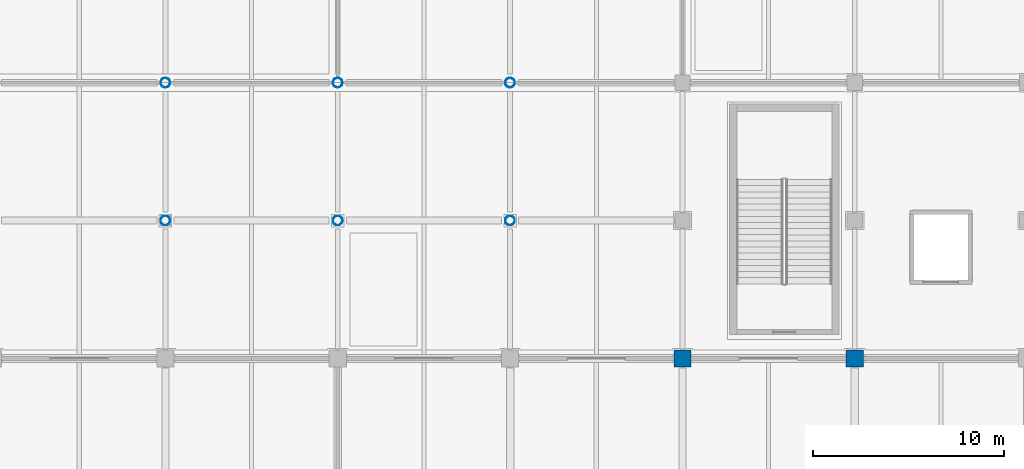
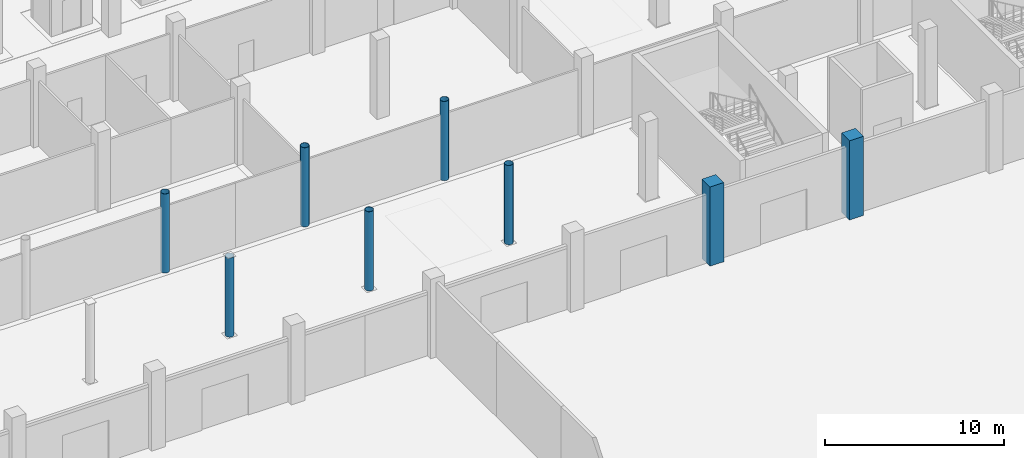
# One storey, part 7 of 137: 8 columns.
"""IFC4 building model written with IfcOpenShell, lengths in metres."""

from ifc_helpers import new_model, si_unit, direction, frame, origin, origin_2d, place, context, subcontext, project, spatial, rectangle, hollow_circle, extrude, material, material_profile, profile_set, type_object, element, save


model = new_model("IFC4")

# Units and contexts
model_context = context("Model", 3, precision=1e-05, world=origin(), true_north=direction((0.0, 1.0)))
body_context = subcontext(model_context, "Body", "Model", "MODEL_VIEW")
ifc_project = project(units=[si_unit("LENGTHUNIT", "METRE"), si_unit("AREAUNIT", "SQUARE_METRE"), si_unit("VOLUMEUNIT", "CUBIC_METRE"), si_unit("PLANEANGLEUNIT", "RADIAN"), si_unit("MASSUNIT", "GRAM", prefix="KILO")], contexts=[model_context])

# Site, building, storey
site_placement = place(None, origin())
site = spatial("IfcSite", under=ifc_project, at=site_placement, CompositionType="ELEMENT")
building_placement = place(site_placement, origin())
building = spatial("IfcBuilding", under=site, at=building_placement, Name="Celestram Park Convention Centre", CompositionType="ELEMENT")
storey_placement = place(building_placement, origin())
storey = spatial("IfcBuildingStorey", under=building, at=storey_placement, Name="L00", CompositionType="ELEMENT", Elevation=0.0)

# Columns
ifc_material_1 = material(Name="Steel ASTM A500 Grade C", Category="steel")
ifc_material_profile_1 = material_profile(ifc_material_1, hollow_circle(Radius=0.25390625, WallThickness=0.01611328125, at=origin_2d()), Name="CHS508X16")
ifc_profile_set_1 = profile_set([ifc_material_profile_1], Name="Steel ASTM A500 Grade C")
column_type_1 = type_object("IfcColumnType", Name="STR-COL-CHS508", PredefinedType="COLUMN", material=ifc_profile_set_1)
for number, where, z_axis, x_axis, name in (
    (1, (72.0, 115.199951171875, 0.0), (0.0, 0.0, 1.0), (1.0, 0.0, 0.0), "Column CN-L00-097"),
    (2, (72.0, 122.39990234375, 0.0), (0.0, 0.0, 1.0), (1.0, 0.0, 0.0), "Column CN-L00-098"),
    (3, (81.0, 115.199951171875, 0.0), (0.0, 0.0, 1.0), (1.0, 0.0, 0.0), "Column CN-L00-110"),
    (4, (81.0, 122.39990234375, 0.0), (0.0, 0.0, 1.0), (1.0, 0.0, 0.0), "Column CN-L00-111"),
    (5, (90.0, 115.199951171875, 0.0), (0.0, 0.0, 1.0), (1.0, 0.0, 0.0), "Column CN-L00-123"),
    (6, (90.0, 122.39990234375, 0.0), (0.0, 0.0, 1.0), (1.0, 0.0, 0.0), "Column CN-L00-124"),
):
    element("IfcColumn", number, at=place(storey_placement, frame(where, z_axis=z_axis, x_axis=x_axis)), inside=storey, type_object=column_type_1, Name=name, PredefinedType="COLUMN", context=body_context, shape_type="SweptSolid", body=[
        extrude(hollow_circle(Radius=0.25390625, WallThickness=0.01611328125, at=origin_2d()), origin(), (0.0, 0.0, 1.0), 5.39990234375),
    ])
ifc_material_2 = material(Name="Concrete C40/50", Category="concrete")
ifc_material_profile_2 = material_profile(ifc_material_2, rectangle(XDim=0.89990234375, YDim=0.89990234375, at=origin_2d()), Name="RC900X900")
ifc_profile_set_2 = profile_set([ifc_material_profile_2], Name="Concrete C40/50")
column_type_2 = type_object("IfcColumnType", Name="STR-COL-RC900", PredefinedType="COLUMN", material=ifc_profile_set_2)
for number, where, z_axis, x_axis, name in (
    (7, (99.0, 108.0, 0.0), (0.0, 0.0, 1.0), (1.0, 0.0, 0.0), "Column CN-L00-135"),
    (8, (108.0, 108.0, 0.0), (0.0, 0.0, 1.0), (1.0, 0.0, 0.0), "Column CN-L00-148"),
):
    element("IfcColumn", number, at=place(storey_placement, frame(where, z_axis=z_axis, x_axis=x_axis)), inside=storey, type_object=column_type_2, Name=name, PredefinedType="COLUMN", context=body_context, shape_type="SweptSolid", body=[
        extrude(rectangle(XDim=0.89990234375, YDim=0.89990234375, at=origin_2d()), origin(), (0.0, 0.0, 1.0), 5.39990234375),
    ])

save(model, "model.ifc")
